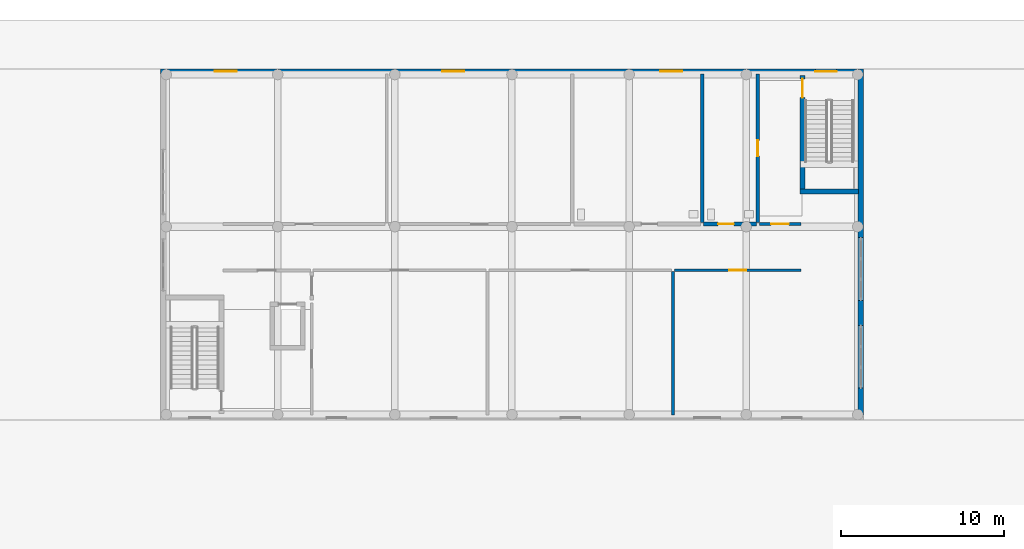
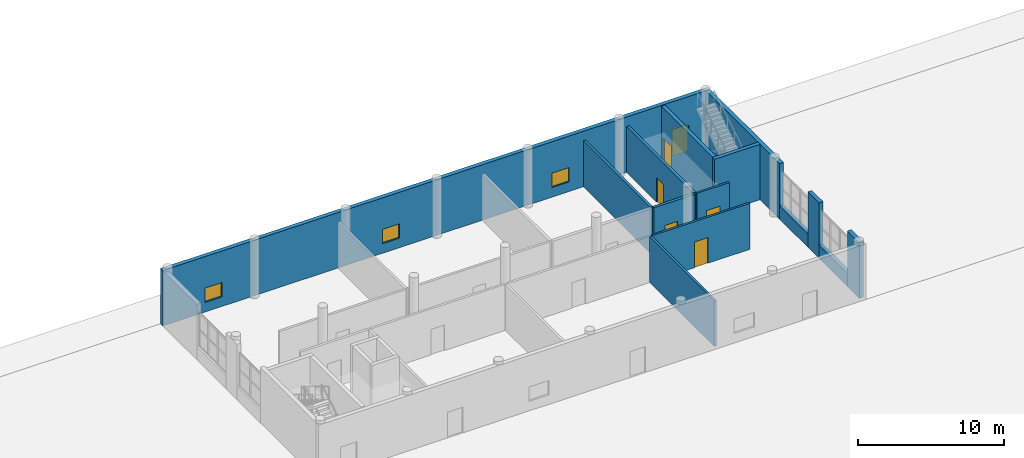
# One storey, part 47 of 85: 14 walls, 6 doors, 3 windows, 9 openings.
"""IFC4 building model written with IfcOpenShell, lengths in metres."""

from ifc_helpers import new_model, si_unit, derived_unit, direction, frame, frame_2d, origin, place, context, subcontext, project, spatial, rectangle, extrude, material, layer, layer_set, type_object, element, fill, save


model = new_model("IFC4")

# Units and contexts
model_context = context("Model", 3, precision=1e-05, world=origin(), true_north=direction((0.0, 1.0)))
body_context = subcontext(model_context, "Body", "Model", "MODEL_VIEW")
ifc_project = project(units=[si_unit("LENGTHUNIT", "METRE"), si_unit("AREAUNIT", "SQUARE_METRE"), si_unit("VOLUMEUNIT", "CUBIC_METRE"), si_unit("PLANEANGLEUNIT", "RADIAN"), si_unit("MASSUNIT", "GRAM", prefix="KILO"), derived_unit("THERMALTRANSMITTANCEUNIT", [(si_unit("MASSUNIT", "GRAM", prefix="KILO"), 1), (si_unit("TIMEUNIT", "SECOND"), -3), (si_unit("THERMODYNAMICTEMPERATUREUNIT", "KELVIN"), -1)])], contexts=[model_context])

# Site, building, storey
site_placement = place(None, origin())
site = spatial("IfcSite", under=ifc_project, at=site_placement, CompositionType="ELEMENT")
building_placement = place(site_placement, origin())
building = spatial("IfcBuilding", under=site, at=building_placement, Name="Ochrekiln Boulevard Commons", CompositionType="ELEMENT")
storey_placement = place(building_placement, origin())
storey = spatial("IfcBuildingStorey", under=building, at=storey_placement, Name="L00", CompositionType="ELEMENT", Elevation=0.0)

# Wall, openings, door, windows
ifc_material_1 = material(Name="Desert ochre clinker brick masonry ASTM C216 Grade SW", Category="masonry")
ifc_layer_1 = layer(ifc_material_1, 0.320068359375)
ifc_layer_set_1 = layer_set([ifc_layer_1], Name="Desert ochre clinker brick masonry ASTM C216 Grade SW")
wall_type_1 = type_object("IfcWallType", Name="WL-EXT-OCHRE-320", PredefinedType="SOLIDWALL", material=ifc_layer_set_1)
wall_1_placement = place(storey_placement, frame((64.800048828125, 118.639892578125, 0.0), z_axis=(0.0, 0.0, 1.0), x_axis=(1.0, 0.0, 0.0)))
wall_1 = element("IfcWall", 1, at=wall_1_placement, inside=storey, type_object=wall_type_1, Name="Nursery Pavilion L00 N Exterior Wall", PredefinedType="SOLIDWALL", context=body_context, shape_type="SweptSolid", body=[
    extrude(rectangle(XDim=43.199951171875, YDim=0.320068359375, at=frame_2d((21.60009765625, 0.0))), origin(), (0.0, 0.0, 1.0), 4.6298828125),
])
opening_1_placement = place(wall_1_placement, frame((40.25, 0.0, 0.0)))
opening_1 = element("IfcOpeningElement", 2, at=opening_1_placement, cuts=wall_1, Name="Opening D-L00-N2X", PredefinedType="OPENING", context=body_context, shape_type="SweptSolid", body=[
    extrude(rectangle(XDim=1.300048828125, YDim=2.199951171875, at=frame_2d((0.64990234375, 1.10009765625))), frame((0.0, 0.169921875, 0.0), z_axis=(0.0, -1.0, 0.0), x_axis=(1.0, 0.0, 0.0)), (0.0, 0.0, 1.0), 0.340087890625),
])
opening_2_placement = place(wall_1_placement, frame((3.324951171875, 0.0, 0.800048828125)))
opening_2 = element("IfcOpeningElement", 3, at=opening_2_placement, cuts=wall_1, Name="Opening W-21", PredefinedType="OPENING", context=body_context, shape_type="SweptSolid", body=[
    extrude(rectangle(XDim=1.35009765625, YDim=1.199951171875, at=frame_2d((0.675048828125, 0.60009765625))), frame((0.0, 0.169921875, 0.0), z_axis=(0.0, -1.0, 0.0), x_axis=(1.0, 0.0, 0.0)), (0.0, 0.0, 1.0), 0.340087890625),
])
opening_3_placement = place(wall_1_placement, frame((17.324951171875, 0.0, 0.800048828125)))
opening_3 = element("IfcOpeningElement", 4, at=opening_3_placement, cuts=wall_1, Name="Opening W-21", PredefinedType="OPENING", context=body_context, shape_type="SweptSolid", body=[
    extrude(rectangle(XDim=1.35009765625, YDim=1.199951171875, at=frame_2d((0.675048828125, 0.60009765625))), frame((0.0, 0.169921875, 0.0), z_axis=(0.0, -1.0, 0.0), x_axis=(1.0, 0.0, 0.0)), (0.0, 0.0, 1.0), 0.340087890625),
])
opening_4_placement = place(wall_1_placement, frame((30.72509765625, 0.0, 0.800048828125)))
opening_4 = element("IfcOpeningElement", 5, at=opening_4_placement, cuts=wall_1, Name="Opening W-21", PredefinedType="OPENING", context=body_context, shape_type="SweptSolid", body=[
    extrude(rectangle(XDim=1.35009765625, YDim=1.199951171875, at=frame_2d((0.675048828125, 0.60009765625))), frame((0.0, 0.169921875, 0.0), z_axis=(0.0, -1.0, 0.0), x_axis=(1.0, 0.0, 0.0)), (0.0, 0.0, 1.0), 0.340087890625),
])
ifc_material_2 = material(Name="Bronze-anodized extruded aluminium 6063-T6", Category="aluminium")
door_type_1 = type_object("IfcDoorType", Name="DR-EXT-STAIR-130", OperationType="NOTDEFINED", PredefinedType="DOOR", material=ifc_material_2)
door_1_placement = place(opening_1_placement, origin())
door_1 = element("IfcDoor", 6, at=door_1_placement, inside=storey, type_object=door_type_1, Name="Nursery Stair ST-N2 Exterior Exit Door", OperationType="SINGLE_SWING_RIGHT", OverallHeight=2.199951171875, OverallWidth=1.300048828125, PredefinedType="DOOR", context=body_context, shape_type="SweptSolid", body=[
    extrude(rectangle(XDim=1.300048828125, YDim=2.199951171875, at=frame_2d((0.64990234375, 1.10009765625))), frame((0.0, 0.02490234375, 0.0), z_axis=(0.0, -1.0, 0.0), x_axis=(1.0, 0.0, 0.0)), (0.0, 0.0, 1.0), 0.050048828125),
])
fill(opening_1, door_1)
ifc_material_3 = material(Name="Thermally broken aluminium-clad oak frame", Category="aluminium")
window_type = type_object("IfcWindowType", Name="WIN-EXT-21", PartitioningType="SINGLE_PANEL", PredefinedType="WINDOW", material=ifc_material_3)
window_1_placement = place(opening_2_placement, origin())
window_1 = element("IfcWindow", 7, at=window_1_placement, inside=storey, type_object=window_type, Name="Nursery L00 Garden Window 1", OverallHeight=1.199951171875, OverallWidth=1.35009765625, PartitioningType="SINGLE_PANEL", PredefinedType="WINDOW", context=body_context, shape_type="SweptSolid", body=[
    extrude(rectangle(XDim=1.35009765625, YDim=1.199951171875, at=frame_2d((0.675048828125, 0.60009765625))), frame((0.0, 0.030029296875, 0.0), z_axis=(0.0, -1.0, 0.0), x_axis=(1.0, 0.0, 0.0)), (0.0, 0.0, 1.0), 0.06005859375),
])
fill(opening_2, window_1)
window_2_placement = place(opening_3_placement, origin())
window_2 = element("IfcWindow", 8, at=window_2_placement, inside=storey, type_object=window_type, Name="Nursery L00 Garden Window 2", OverallHeight=1.199951171875, OverallWidth=1.35009765625, PartitioningType="SINGLE_PANEL", PredefinedType="WINDOW", context=body_context, shape_type="SweptSolid", body=[
    extrude(rectangle(XDim=1.35009765625, YDim=1.199951171875, at=frame_2d((0.675048828125, 0.60009765625))), frame((0.0, 0.030029296875, 0.0), z_axis=(0.0, -1.0, 0.0), x_axis=(1.0, 0.0, 0.0)), (0.0, 0.0, 1.0), 0.06005859375),
])
fill(opening_3, window_2)
window_3_placement = place(opening_4_placement, origin())
window_3 = element("IfcWindow", 9, at=window_3_placement, inside=storey, type_object=window_type, Name="Nursery L00 Garden Window 3", OverallHeight=1.199951171875, OverallWidth=1.35009765625, PartitioningType="SINGLE_PANEL", PredefinedType="WINDOW", context=body_context, shape_type="SweptSolid", body=[
    extrude(rectangle(XDim=1.35009765625, YDim=1.199951171875, at=frame_2d((0.675048828125, 0.60009765625))), frame((0.0, 0.030029296875, 0.0), z_axis=(0.0, -1.0, 0.0), x_axis=(1.0, 0.0, 0.0)), (0.0, 0.0, 1.0), 0.06005859375),
])
fill(opening_4, window_3)

# Walls
wall_2_placement = place(storey_placement, frame((107.840087890625, 97.52001953125, 0.0), z_axis=(0.0, 0.0, 1.0), x_axis=(0.0, 1.0, 0.0)))
element("IfcWall", 10, at=wall_2_placement, inside=storey, type_object=wall_type_1, Name="Nursery Pavilion L00 E South Pier Wall", PredefinedType="SOLIDWALL", context=body_context, shape_type="SweptSolid", body=[
    extrude(rectangle(XDim=1.64990234375, YDim=0.320068359375, at=frame_2d((0.824951171875, 0.0))), origin(), (0.0, 0.0, 1.0), 4.6298828125),
])
wall_3_placement = place(storey_placement, frame((107.840087890625, 103.030029296875, 0.0), z_axis=(0.0, 0.0, 1.0), x_axis=(0.0, 1.0, 0.0)))
element("IfcWall", 11, at=wall_3_placement, inside=storey, type_object=wall_type_1, Name="Nursery Pavilion L00 E Mullion Pier Wall", PredefinedType="SOLIDWALL", context=body_context, shape_type="SweptSolid", body=[
    extrude(rectangle(XDim=1.5400390625, YDim=0.320068359375, at=frame_2d((0.77001953125, 0.0))), origin(), (0.0, 0.0, 1.0), 4.6298828125),
])
wall_4_placement = place(storey_placement, frame((107.840087890625, 108.429931640625, 0.0), z_axis=(0.0, 0.0, 1.0), x_axis=(0.0, 1.0, 0.0)))
element("IfcWall", 12, at=wall_4_placement, inside=storey, type_object=wall_type_1, Name="Nursery Pavilion L00 E North Pier Wall", PredefinedType="SOLIDWALL", context=body_context, shape_type="SweptSolid", body=[
    extrude(rectangle(XDim=10.050048828125, YDim=0.320068359375, at=frame_2d((5.02490234375, 0.0))), origin(), (0.0, 0.0, 1.0), 4.6298828125),
])
wall_5_placement = place(storey_placement, frame((107.840087890625, 99.169921875, 0.0), z_axis=(0.0, 0.0, 1.0), x_axis=(0.0, 1.0, 0.0)))
element("IfcWall", 13, at=wall_5_placement, inside=storey, type_object=wall_type_1, Name="Nursery Pavilion L00 E Garden Sill Wall 1", PredefinedType="SOLIDWALL", context=body_context, shape_type="SweptSolid", body=[
    extrude(rectangle(XDim=3.860107421875, YDim=0.320068359375, at=frame_2d((1.93017578125, 0.0))), origin(), (0.0, 0.0, 1.0), 1.110107421875),
])
wall_6_placement = place(storey_placement, frame((107.840087890625, 104.570068359375, 0.0), z_axis=(0.0, 0.0, 1.0), x_axis=(0.0, 1.0, 0.0)))
element("IfcWall", 14, at=wall_6_placement, inside=storey, type_object=wall_type_1, Name="Nursery Pavilion L00 E Garden Sill Wall 2", PredefinedType="SOLIDWALL", context=body_context, shape_type="SweptSolid", body=[
    extrude(rectangle(XDim=3.85986328125, YDim=0.320068359375, at=frame_2d((1.929931640625, 0.0))), origin(), (0.0, 0.0, 1.0), 1.110107421875),
])
ifc_material_4 = material(Name="Moisture-resistant cementitious tile backer wall")
ifc_layer_2 = layer(ifc_material_4, 0.199951171875)
ifc_layer_set_2 = layer_set([ifc_layer_2], Name="Moisture-resistant cementitious tile backer wall")
wall_type_2 = type_object("IfcWallType", Name="WL-PLM-200", PredefinedType="PLUMBINGWALL", material=ifc_layer_set_2)
wall_7_placement = place(storey_placement, frame((98.090087890625, 109.35009765625, 0.0), z_axis=(0.0, 0.0, 1.0), x_axis=(0.0, 1.0, 0.0)))
element("IfcWall", 15, at=wall_7_placement, inside=storey, type_object=wall_type_2, Name="L00 Interior Wall W-PW200", PredefinedType="PLUMBINGWALL", context=body_context, shape_type="SweptSolid", body=[
    extrude(rectangle(XDim=9.1298828125, YDim=0.199951171875, at=frame_2d((4.56494140625, 0.0))), origin(), (0.0, 0.0, 1.0), 3.840087890625),
])

# Wall, opening, door
ifc_layer_3 = layer(ifc_material_4, 0.219970703125)
ifc_layer_set_3 = layer_set([ifc_layer_3], Name="Moisture-resistant cementitious tile backer wall")
wall_type_3 = type_object("IfcWallType", Name="WL-PLM-220", PredefinedType="PLUMBINGWALL", material=ifc_layer_set_3)
wall_8_placement = place(storey_placement, frame((98.179931640625, 109.260009765625, 0.0), z_axis=(0.0, 0.0, 1.0), x_axis=(1.0, 0.0, 0.0)))
wall_8 = element("IfcWall", 16, at=wall_8_placement, inside=storey, type_object=wall_type_3, Name="L00 Interior Wall W-PW220", PredefinedType="PLUMBINGWALL", context=body_context, shape_type="SweptSolid", body=[
    extrude(rectangle(XDim=3.239990234375, YDim=0.219970703125, at=frame_2d((1.6201171875, 0.0))), origin(), (0.0, 0.0, 1.0), 3.840087890625),
])
opening_5_placement = place(wall_8_placement, frame((0.889892578125, 0.0, 0.0)))
opening_5 = element("IfcOpeningElement", 17, at=opening_5_placement, cuts=wall_8, Name="Opening D-L00-124", PredefinedType="OPENING", context=body_context, shape_type="SweptSolid", body=[
    extrude(rectangle(XDim=0.9599609375, YDim=2.050048828125, at=frame_2d((0.47998046875, 1.02490234375))), frame((0.0, 0.119873046875, 0.0), z_axis=(0.0, -1.0, 0.0), x_axis=(1.0, 0.0, 0.0)), (0.0, 0.0, 1.0), 0.239990234375),
])
ifc_material_5 = material(Name="Solid core architectural oak door leaf")
door_type_2 = type_object("IfcDoorType", Name="DR-INT-ADA-096", OperationType="NOTDEFINED", PredefinedType="DOOR", material=ifc_material_5)
door_2_placement = place(opening_5_placement, origin())
door_2 = element("IfcDoor", 18, at=door_2_placement, inside=storey, type_object=door_type_2, Name="L00 Interior Door to Staff Accessible WC", OperationType="SINGLE_SWING_RIGHT", OverallHeight=2.050048828125, OverallWidth=0.9599609375, PredefinedType="DOOR", context=body_context, shape_type="SweptSolid", body=[
    extrude(rectangle(XDim=0.9599609375, YDim=2.050048828125, at=frame_2d((0.47998046875, 1.02490234375))), frame((0.0, 0.02490234375, 0.0), z_axis=(0.0, -1.0, 0.0), x_axis=(1.0, 0.0, 0.0)), (0.0, 0.0, 1.0), 0.050048828125),
])
fill(opening_5, door_2)

wall_9_placement = place(storey_placement, frame((101.510009765625, 109.343017578125, 0.0), z_axis=(0.0, 0.0, 1.0), x_axis=(0.0, 1.0, 0.0)))
wall_9 = element("IfcWall", 19, at=wall_9_placement, inside=storey, type_object=wall_type_3, Name="L00 Interior Wall W-PW220", PredefinedType="PLUMBINGWALL", context=body_context, shape_type="SweptSolid", body=[
    extrude(rectangle(XDim=9.136962890625, YDim=0.219970703125, at=frame_2d((4.568359375, 0.0))), origin(), (0.0, 0.0, 1.0), 3.840087890625),
])
opening_6_placement = place(wall_9_placement, frame((4.092041015625, 0.0, 0.0)))
opening_6 = element("IfcOpeningElement", 20, at=opening_6_placement, cuts=wall_9, Name="Opening D-L00-125", PredefinedType="OPENING", context=body_context, shape_type="SweptSolid", body=[
    extrude(rectangle(XDim=0.9599609375, YDim=2.050048828125, at=frame_2d((0.47998046875, 1.02490234375))), frame((0.0, 0.119873046875, 0.0), z_axis=(0.0, -1.0, 0.0), x_axis=(1.0, 0.0, 0.0)), (0.0, 0.0, 1.0), 0.239990234375),
])
door_3_placement = place(opening_6_placement, origin())
door_3 = element("IfcDoor", 21, at=door_3_placement, inside=storey, type_object=door_type_2, Name="L00 Interior Door to Staff Accessible WC", OperationType="SINGLE_SWING_LEFT", OverallHeight=2.050048828125, OverallWidth=0.9599609375, PredefinedType="DOOR", context=body_context, shape_type="SweptSolid", body=[
    extrude(rectangle(XDim=0.9599609375, YDim=2.050048828125, at=frame_2d((0.47998046875, 1.02490234375))), frame((0.0, 0.02490234375, 0.0), z_axis=(0.0, -1.0, 0.0), x_axis=(1.0, 0.0, 0.0)), (0.0, 0.0, 1.0), 0.050048828125),
])
fill(opening_6, door_3)

# Wall
ifc_material_6 = material(Name="Fire-rated Type X gypsum board on steel studs", Category="steel")
ifc_layer_4 = layer(ifc_material_6, 0.169921875)
ifc_layer_set_4 = layer_set([ifc_layer_4], Name="Fire-rated Type X gypsum board on steel studs")
wall_type_4 = type_object("IfcWallType", Name="WL-PT-CIV-170", PredefinedType="PARTITIONING", material=ifc_layer_set_4)
wall_10_placement = place(storey_placement, frame((96.300048828125, 97.52001953125, 0.0), z_axis=(0.0, 0.0, 1.0), x_axis=(0.0, 1.0, 0.0)))
element("IfcWall", 22, at=wall_10_placement, inside=storey, type_object=wall_type_4, Name="L00 Interior Wall W-PV170", PredefinedType="PARTITIONING", context=body_context, shape_type="SweptSolid", body=[
    extrude(rectangle(XDim=8.807861328125, YDim=0.169921875, at=frame_2d((4.40380859375, 0.0))), origin(), (0.0, 0.0, 1.0), 3.840087890625),
])

# Wall, opening, door
ifc_layer_5 = layer(ifc_material_6, 0.1650390625)
ifc_layer_set_5 = layer_set([ifc_layer_5], Name="Fire-rated Type X gypsum board on steel studs")
wall_type_5 = type_object("IfcWallType", Name="WL-PT-CORR-165", PredefinedType="PARTITIONING", material=ifc_layer_set_5)
wall_11_placement = place(storey_placement, frame((101.60009765625, 109.260009765625, 0.0), z_axis=(0.0, 0.0, 1.0), x_axis=(1.0, 0.0, 0.0)))
wall_11 = element("IfcWall", 23, at=wall_11_placement, inside=storey, type_object=wall_type_5, Name="L00 Interior Wall W-PC165", PredefinedType="PARTITIONING", context=body_context, shape_type="SweptSolid", body=[
    extrude(rectangle(XDim=2.5498046875, YDim=0.1650390625, at=frame_2d((1.27490234375, 0.0))), origin(), (0.0, 0.0, 1.0), 3.840087890625),
])
opening_7_placement = place(wall_11_placement, frame((0.72509765625, 0.0, 0.0)))
opening_7 = element("IfcOpeningElement", 24, at=opening_7_placement, cuts=wall_11, Name="Opening D-L00-117", PredefinedType="OPENING", context=body_context, shape_type="SweptSolid", body=[
    extrude(rectangle(XDim=1.10009765625, YDim=2.1201171875, at=frame_2d((0.550048828125, 1.06005859375))), frame((0.0, 0.092529296875, 0.0), z_axis=(0.0, -1.0, 0.0), x_axis=(1.0, 0.0, 0.0)), (0.0, 0.0, 1.0), 0.18505859375),
])
ifc_material_7 = material(Name="Hollow metal fire-rated steel door assembly", Category="steel")
door_type_3 = type_object("IfcDoorType", Name="DR-LOBBY-60", OperationType="NOTDEFINED", PredefinedType="DOOR", material=ifc_material_7)
door_4_placement = place(opening_7_placement, origin())
door_4 = element("IfcDoor", 25, at=door_4_placement, inside=storey, type_object=door_type_3, Name="L00 Interior Door to Nursery East Stair Corridor", OperationType="SINGLE_SWING_LEFT", OverallHeight=2.1201171875, OverallWidth=1.10009765625, PredefinedType="DOOR", context=body_context, shape_type="SweptSolid", body=[
    extrude(rectangle(XDim=1.10009765625, YDim=2.1201171875, at=frame_2d((0.550048828125, 1.06005859375))), frame((0.0, 0.02490234375, 0.0), z_axis=(0.0, -1.0, 0.0), x_axis=(1.0, 0.0, 0.0)), (0.0, 0.0, 1.0), 0.050048828125),
])
fill(opening_7, door_4)

wall_12_placement = place(storey_placement, frame((96.39990234375, 106.409912109375, 0.0), z_axis=(0.0, 0.0, 1.0), x_axis=(1.0, 0.0, 0.0)))
wall_12 = element("IfcWall", 26, at=wall_12_placement, inside=storey, type_object=wall_type_5, Name="L00 Interior Wall W-PC165", PredefinedType="PARTITIONING", context=body_context, shape_type="SweptSolid", body=[
    extrude(rectangle(XDim=7.75, YDim=0.1650390625, at=frame_2d((3.875, 0.0))), origin(), (0.0, 0.0, 1.0), 3.840087890625),
])
opening_8_placement = place(wall_12_placement, frame((3.344970703125, 0.0, 0.0)))
opening_8 = element("IfcOpeningElement", 27, at=opening_8_placement, cuts=wall_12, Name="Opening D-L00-120", PredefinedType="OPENING", context=body_context, shape_type="SweptSolid", body=[
    extrude(rectangle(XDim=1.06005859375, YDim=2.139892578125, at=frame_2d((0.530029296875, 1.06982421875))), frame((0.0, 0.092529296875, 0.0), z_axis=(0.0, -1.0, 0.0), x_axis=(1.0, 0.0, 0.0)), (0.0, 0.0, 1.0), 0.18505859375),
])
door_type_4 = type_object("IfcDoorType", Name="DR-INT-NUR-106", OperationType="NOTDEFINED", PredefinedType="DOOR", material=ifc_material_5)
door_5_placement = place(opening_8_placement, frame((1.06005859375, 0.0, 0.0), z_axis=(0.0, 0.0, 1.0), x_axis=(-1.0, 0.0, 0.0)))
door_5 = element("IfcDoor", 28, at=door_5_placement, inside=storey, type_object=door_type_4, Name="L00 Interior Door to Nursery Infant and Toddler Classroom 3", OperationType="SINGLE_SWING_RIGHT", OverallHeight=2.139892578125, OverallWidth=1.06005859375, PredefinedType="DOOR", context=body_context, shape_type="SweptSolid", body=[
    extrude(rectangle(XDim=1.06005859375, YDim=2.139892578125, at=frame_2d((0.530029296875, 1.06982421875))), frame((0.0, 0.02490234375, 0.0), z_axis=(0.0, -1.0, 0.0), x_axis=(1.0, 0.0, 0.0)), (0.0, 0.0, 1.0), 0.050048828125),
])
fill(opening_8, door_5)

# Wall
ifc_material_8 = material(Name="Concrete C40/50", Category="concrete")
ifc_layer_6 = layer(ifc_material_8, 0.300048828125)
ifc_layer_set_6 = layer_set([ifc_layer_6], Name="Concrete C40/50")
wall_type_6 = type_object("IfcWallType", Name="WL-SH-300", PredefinedType="SHEAR", material=ifc_layer_set_6)
wall_13_placement = place(storey_placement, frame((104.10009765625, 111.25, 0.0), z_axis=(0.0, 0.0, 1.0), x_axis=(1.0, 0.0, 0.0)))
element("IfcWall", 29, at=wall_13_placement, inside=storey, type_object=wall_type_6, Name="Stair ST-N2 L00 Core Shear Wall S", PredefinedType="SHEAR", context=body_context, shape_type="SweptSolid", body=[
    extrude(rectangle(XDim=3.599853515625, YDim=0.300048828125, at=frame_2d((1.7998046875, 0.0))), origin(), (0.0, 0.0, 1.0), 4.6298828125),
])

# Wall, opening, door
wall_14_placement = place(storey_placement, frame((104.25, 111.39990234375, 0.0), z_axis=(0.0, 0.0, 1.0), x_axis=(0.0, 1.0, 0.0)))
wall_14 = element("IfcWall", 30, at=wall_14_placement, inside=storey, type_object=wall_type_6, Name="Stair ST-N2 L00 Core Shear Wall W", PredefinedType="SHEAR", context=body_context, shape_type="SweptSolid", body=[
    extrude(rectangle(XDim=7.0, YDim=0.300048828125, at=frame_2d((3.5, 0.0))), origin(), (0.0, 0.0, 1.0), 4.6298828125),
])
opening_9_placement = place(wall_14_placement, frame((5.625, 0.0, 0.0)))
opening_9 = element("IfcOpeningElement", 31, at=opening_9_placement, cuts=wall_14, Name="Opening D-L00-ST-N2", PredefinedType="OPENING", context=body_context, shape_type="SweptSolid", body=[
    extrude(rectangle(XDim=1.14990234375, YDim=2.1201171875, at=frame_2d((0.574951171875, 1.06005859375))), frame((0.0, 0.159912109375, 0.0), z_axis=(0.0, -1.0, 0.0), x_axis=(1.0, 0.0, 0.0)), (0.0, 0.0, 1.0), 0.320068359375),
])
door_type_5 = type_object("IfcDoorType", Name="DR-STAIR-90", OperationType="NOTDEFINED", PredefinedType="DOOR", material=ifc_material_7)
door_6_placement = place(opening_9_placement, frame((1.14990234375, 0.0, 0.0), z_axis=(0.0, 0.0, 1.0), x_axis=(-1.0, 0.0, 0.0)))
door_6 = element("IfcDoor", 32, at=door_6_placement, inside=storey, type_object=door_type_5, Name="Enclosed Exit Stair ST-N2 L00 Rated Door", OperationType="SINGLE_SWING_LEFT", OverallHeight=2.1201171875, OverallWidth=1.14990234375, PredefinedType="DOOR", context=body_context, shape_type="SweptSolid", body=[
    extrude(rectangle(XDim=1.14990234375, YDim=2.1201171875, at=frame_2d((0.574951171875, 1.06005859375))), frame((0.0, 0.02490234375, 0.0), z_axis=(0.0, -1.0, 0.0), x_axis=(1.0, 0.0, 0.0)), (0.0, 0.0, 1.0), 0.050048828125),
])
fill(opening_9, door_6)

save(model, "model.ifc")
